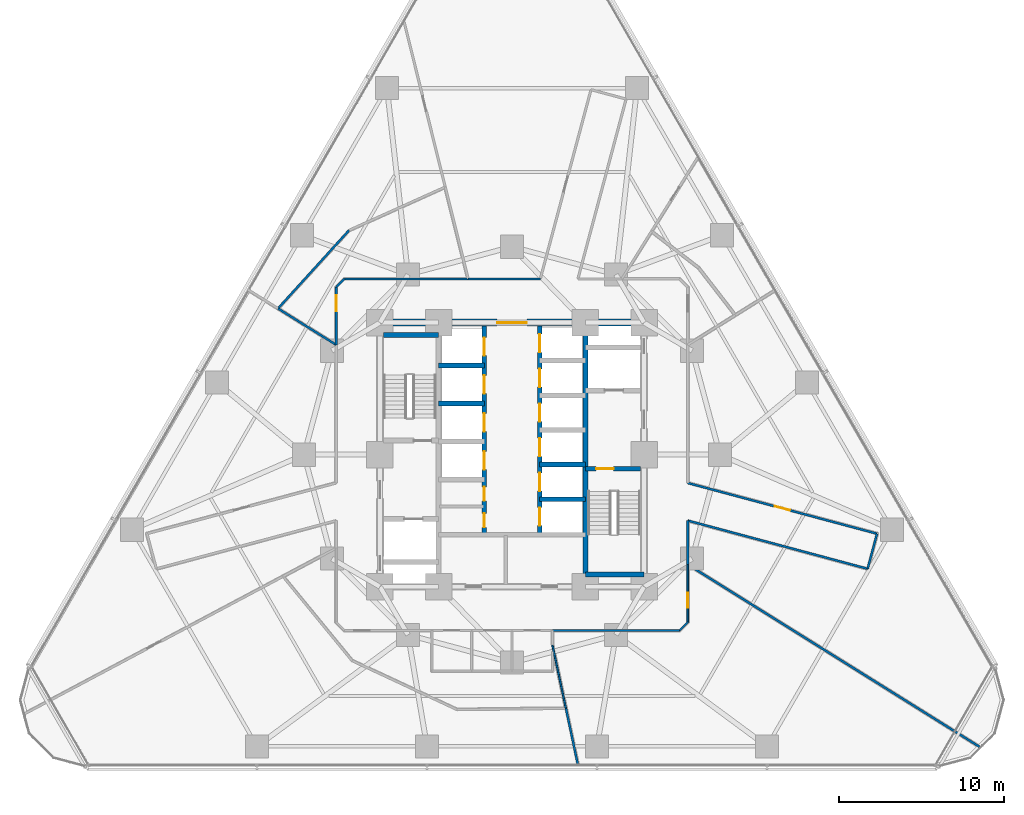
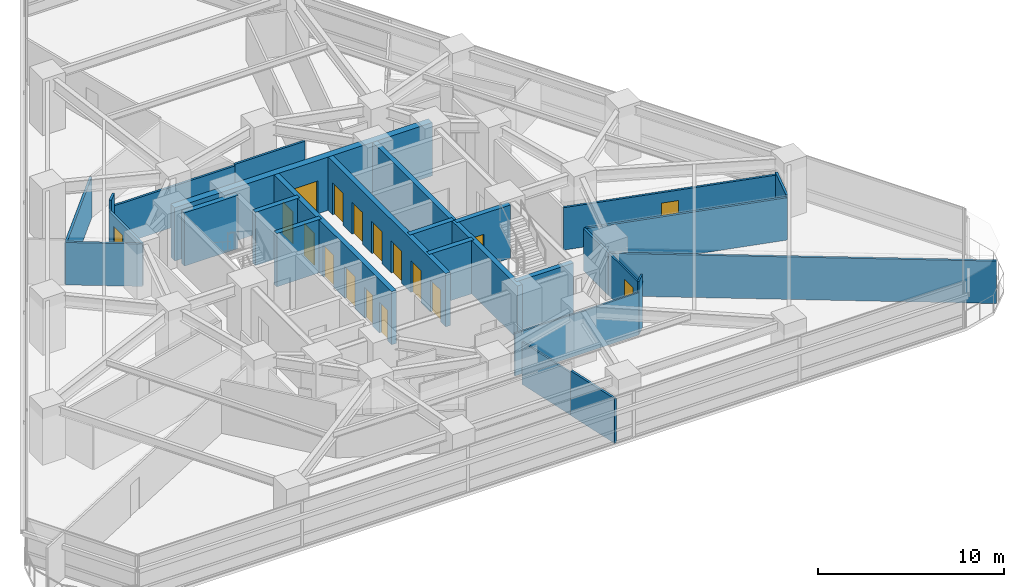
# One storey, part 9 of 15: 27 walls, 17 doors, 17 openings.
"""IFC4 building model written with IfcOpenShell, lengths in metres."""

from ifc_helpers import new_model, si_unit, direction, frame, frame_2d, origin, place, context, subcontext, project, spatial, rectangle, extrude, material, layer, layer_set, type_object, element, fill, save


model = new_model("IFC4")

# Units and contexts
model_context = context("Model", 3, precision=1e-05, world=origin(), true_north=direction((0.0, 1.0)))
body_context = subcontext(model_context, "Body", "Model", "MODEL_VIEW")
ifc_project = project(units=[si_unit("LENGTHUNIT", "METRE"), si_unit("AREAUNIT", "SQUARE_METRE"), si_unit("VOLUMEUNIT", "CUBIC_METRE"), si_unit("PLANEANGLEUNIT", "RADIAN"), si_unit("MASSUNIT", "GRAM", prefix="KILO")], contexts=[model_context])

# Site, building, storey
site_placement = place(None, origin())
site = spatial("IfcSite", under=ifc_project, at=site_placement, CompositionType="ELEMENT")
building_placement = place(site_placement, origin())
building = spatial("IfcBuilding", under=site, at=building_placement, Name="Terralouvre Media Tower", CompositionType="ELEMENT")
storey_placement = place(building_placement, frame((0.0, 0.0, 33.39990234375)))
storey = spatial("IfcBuildingStorey", under=building, at=storey_placement, Name="L07", CompositionType="ELEMENT", Elevation=33.39990234375)

# Walls
ifc_material_1 = material(Name="Concrete C50/60", Category="concrete")
ifc_layer_1 = layer(ifc_material_1, 0.300048828125, Name="Core Internal Shaft Wall CW-300")
ifc_layer_set_1 = layer_set([ifc_layer_1], Name="Concrete C50/60")
wall_type_1 = type_object("IfcWallType", Name="Core Internal Shaft Wall CW-300", PredefinedType="SHEAR", material=ifc_layer_set_1)
wall_1_placement = place(storey_placement, frame((4.449951171875, -7.7900390625, 0.0), z_axis=(0.0, 0.0, 1.0), x_axis=(0.0, 1.0, 0.0)))
element("IfcWall", 1, at=wall_1_placement, inside=storey, type_object=wall_type_1, Name="L07 Core Shaft Wall SPE", PredefinedType="SHEAR", context=body_context, shape_type="SweptSolid", body=[
    extrude(rectangle(XDim=15.580078125, YDim=0.300048828125, at=frame_2d((7.7900390625, 0.0))), origin(), (0.0, 0.0, 1.0), 3.5),
])
wall_2_placement = place(storey_placement, frame((-7.7900390625, 7.260009765625, 0.0), z_axis=(0.0, 0.0, 1.0), x_axis=(1.0, 0.0, 0.0)))
element("IfcWall", 2, at=wall_2_placement, inside=storey, type_object=wall_type_1, Name="L07 Core Shaft Wall ST1F", PredefinedType="SHEAR", context=body_context, shape_type="SweptSolid", body=[
    extrude(rectangle(XDim=3.340087890625, YDim=0.300048828125, at=frame_2d((1.669921875, 0.0))), origin(), (0.0, 0.0, 1.0), 3.5),
])

# Wall, opening, door
wall_3_placement = place(storey_placement, frame((4.449951171875, -0.85009765625, 0.0), z_axis=(0.0, 0.0, 1.0), x_axis=(1.0, 0.0, 0.0)))
wall_3 = element("IfcWall", 3, at=wall_3_placement, inside=storey, type_object=wall_type_1, Name="L07 Core Shaft Wall ST2D", PredefinedType="SHEAR", context=body_context, shape_type="SweptSolid", body=[
    extrude(rectangle(XDim=3.340087890625, YDim=0.300048828125, at=frame_2d((1.669921875, 0.0))), origin(), (0.0, 0.0, 1.0), 3.5),
])
opening_1_placement = place(wall_3_placement, frame((0.64990234375, 0.0, 0.0)))
opening_1 = element("IfcOpeningElement", 4, at=opening_1_placement, cuts=wall_3, Name="Opening FD-01-105X215", PredefinedType="OPENING", context=body_context, shape_type="SweptSolid", body=[
    extrude(rectangle(XDim=1.050048828125, YDim=2.14990234375, at=frame_2d((0.52490234375, 1.074951171875))), frame((0.0, 0.159912109375, 0.0), z_axis=(0.0, -1.0, 0.0), x_axis=(1.0, 0.0, 0.0)), (0.0, 0.0, 1.0), 0.320068359375),
])
ifc_material_2 = material(Name="Galvanised steel fire-resisting leaf", Category="steel")
door_type_1 = type_object("IfcDoorType", Name="Stair and Firefighting Lobby Fire Door FD-01 (1050x2150)", OperationType="NOTDEFINED", PredefinedType="DOOR", material=ifc_material_2)
door_1_placement = place(opening_1_placement, origin())
door_1 = element("IfcDoor", 5, at=door_1_placement, inside=storey, type_object=door_type_1, Name="L07 ST-02 Exit Stair Door", OperationType="SINGLE_SWING_RIGHT", OverallHeight=2.14990234375, OverallWidth=1.050048828125, PredefinedType="DOOR", context=body_context, shape_type="SweptSolid", body=[
    extrude(rectangle(XDim=1.050048828125, YDim=2.14990234375, at=frame_2d((0.52490234375, 1.074951171875))), frame((0.0, 0.02490234375, 0.0), z_axis=(0.0, -1.0, 0.0), x_axis=(1.0, 0.0, 0.0)), (0.0, 0.0, 1.0), 0.050048828125),
])
fill(opening_1, door_1)

# Wall
wall_4_placement = place(storey_placement, frame((4.449951171875, -7.260009765625, 0.0), z_axis=(0.0, 0.0, 1.0), x_axis=(1.0, 0.0, 0.0)))
element("IfcWall", 6, at=wall_4_placement, inside=storey, type_object=wall_type_1, Name="L07 Core Shaft Wall ST2F", PredefinedType="SHEAR", context=body_context, shape_type="SweptSolid", body=[
    extrude(rectangle(XDim=3.550048828125, YDim=0.300048828125, at=frame_2d((1.77490234375, 0.0))), origin(), (0.0, 0.0, 1.0), 3.5),
])

# Wall, openings, doors
wall_5_placement = place(storey_placement, frame((-1.679931640625, -4.85009765625, 0.0), z_axis=(0.0, 0.0, 1.0), x_axis=(0.0, 1.0, 0.0)))
wall_5 = element("IfcWall", 7, at=wall_5_placement, inside=storey, type_object=wall_type_1, Name="L07 Core Shaft Wall LBW", PredefinedType="SHEAR", context=body_context, shape_type="SweptSolid", body=[
    extrude(rectangle(XDim=12.64013671875, YDim=0.300048828125, at=frame_2d((6.320068359375, 0.0))), origin(), (0.0, 0.0, 1.0), 3.5),
])
opening_2_placement = place(wall_5_placement, frame((3.949951171875, 0.0, 0.0)))
opening_2 = element("IfcOpeningElement", 8, at=opening_2_placement, cuts=wall_5, Name="Opening LD-PL", PredefinedType="OPENING", context=body_context, shape_type="SweptSolid", body=[
    extrude(rectangle(XDim=1.10009765625, YDim=2.10009765625, at=frame_2d((0.550048828125, 1.050048828125))), frame((0.0, 0.159912109375, 0.0), z_axis=(0.0, -1.0, 0.0), x_axis=(1.0, 0.0, 0.0)), (0.0, 0.0, 1.0), 0.320068359375),
])
opening_3_placement = place(wall_5_placement, frame((6.25, 0.0, 0.0)))
opening_3 = element("IfcOpeningElement", 9, at=opening_3_placement, cuts=wall_5, Name="Opening LD-PL", PredefinedType="OPENING", context=body_context, shape_type="SweptSolid", body=[
    extrude(rectangle(XDim=1.10009765625, YDim=2.10009765625, at=frame_2d((0.550048828125, 1.050048828125))), frame((0.0, 0.159912109375, 0.0), z_axis=(0.0, -1.0, 0.0), x_axis=(1.0, 0.0, 0.0)), (0.0, 0.0, 1.0), 0.320068359375),
])
opening_4_placement = place(wall_5_placement, frame((8.550048828125, 0.0, 0.0)))
opening_4 = element("IfcOpeningElement", 10, at=opening_4_placement, cuts=wall_5, Name="Opening LD-PL", PredefinedType="OPENING", context=body_context, shape_type="SweptSolid", body=[
    extrude(rectangle(XDim=1.10009765625, YDim=2.10009765625, at=frame_2d((0.550048828125, 1.050048828125))), frame((0.0, 0.159912109375, 0.0), z_axis=(0.0, -1.0, 0.0), x_axis=(1.0, 0.0, 0.0)), (0.0, 0.0, 1.0), 0.320068359375),
])
opening_5_placement = place(wall_5_placement, frame((10.85009765625, 0.0, 0.0)))
opening_5 = element("IfcOpeningElement", 11, at=opening_5_placement, cuts=wall_5, Name="Opening LD-PL", PredefinedType="OPENING", context=body_context, shape_type="SweptSolid", body=[
    extrude(rectangle(XDim=1.10009765625, YDim=2.10009765625, at=frame_2d((0.550048828125, 1.050048828125))), frame((0.0, 0.159912109375, 0.0), z_axis=(0.0, -1.0, 0.0), x_axis=(1.0, 0.0, 0.0)), (0.0, 0.0, 1.0), 0.320068359375),
])
opening_6_placement = place(wall_5_placement, frame((0.449951171875, 0.0, 0.0)))
opening_6 = element("IfcOpeningElement", 12, at=opening_6_placement, cuts=wall_5, Name="Opening TD-R1", PredefinedType="OPENING", context=body_context, shape_type="SweptSolid", body=[
    extrude(rectangle(XDim=0.85009765625, YDim=2.02001953125, at=frame_2d((0.425048828125, 1.010009765625))), frame((0.0, 0.159912109375, 0.0), z_axis=(0.0, -1.0, 0.0), x_axis=(1.0, 0.0, 0.0)), (0.0, 0.0, 1.0), 0.320068359375),
])
opening_7_placement = place(wall_5_placement, frame((2.050048828125, 0.0, 0.0)))
opening_7 = element("IfcOpeningElement", 13, at=opening_7_placement, cuts=wall_5, Name="Opening TD-R1", PredefinedType="OPENING", context=body_context, shape_type="SweptSolid", body=[
    extrude(rectangle(XDim=0.85009765625, YDim=2.02001953125, at=frame_2d((0.425048828125, 1.010009765625))), frame((0.0, 0.159912109375, 0.0), z_axis=(0.0, -1.0, 0.0), x_axis=(1.0, 0.0, 0.0)), (0.0, 0.0, 1.0), 0.320068359375),
])
ifc_material_3 = material(Name="Stainless steel 316 handrail and balustrade", Category="steel")
door_type_2 = type_object("IfcDoorType", Name="Passenger Lift Sliding Landing Door LD-PL", OperationType="SLIDING_TO_LEFT", PredefinedType="DOOR", material=ifc_material_3)
door_2_placement = place(opening_2_placement, origin())
door_2 = element("IfcDoor", 14, at=door_2_placement, inside=storey, type_object=door_type_2, Name="L07 Low-Rise Lift PL-L1 Landing Door", OperationType="SLIDING_TO_LEFT", OverallHeight=2.10009765625, OverallWidth=1.10009765625, PredefinedType="DOOR", context=body_context, shape_type="SweptSolid", body=[
    extrude(rectangle(XDim=1.10009765625, YDim=2.10009765625, at=frame_2d((0.550048828125, 1.050048828125))), frame((0.0, 0.02490234375, 0.0), z_axis=(0.0, -1.0, 0.0), x_axis=(1.0, 0.0, 0.0)), (0.0, 0.0, 1.0), 0.050048828125),
])
fill(opening_2, door_2)
door_3_placement = place(opening_3_placement, origin())
door_3 = element("IfcDoor", 15, at=door_3_placement, inside=storey, type_object=door_type_2, Name="L07 Low-Rise Lift PL-L2 Landing Door", OperationType="SLIDING_TO_LEFT", OverallHeight=2.10009765625, OverallWidth=1.10009765625, PredefinedType="DOOR", context=body_context, shape_type="SweptSolid", body=[
    extrude(rectangle(XDim=1.10009765625, YDim=2.10009765625, at=frame_2d((0.550048828125, 1.050048828125))), frame((0.0, 0.02490234375, 0.0), z_axis=(0.0, -1.0, 0.0), x_axis=(1.0, 0.0, 0.0)), (0.0, 0.0, 1.0), 0.050048828125),
])
fill(opening_3, door_3)
door_4_placement = place(opening_4_placement, origin())
door_4 = element("IfcDoor", 16, at=door_4_placement, inside=storey, type_object=door_type_2, Name="L07 Low-Rise Lift PL-L3 Landing Door", OperationType="SLIDING_TO_LEFT", OverallHeight=2.10009765625, OverallWidth=1.10009765625, PredefinedType="DOOR", context=body_context, shape_type="SweptSolid", body=[
    extrude(rectangle(XDim=1.10009765625, YDim=2.10009765625, at=frame_2d((0.550048828125, 1.050048828125))), frame((0.0, 0.02490234375, 0.0), z_axis=(0.0, -1.0, 0.0), x_axis=(1.0, 0.0, 0.0)), (0.0, 0.0, 1.0), 0.050048828125),
])
fill(opening_4, door_4)
door_5_placement = place(opening_5_placement, origin())
door_5 = element("IfcDoor", 17, at=door_5_placement, inside=storey, type_object=door_type_2, Name="L07 Low-Rise Lift PL-L4 Landing Door", OperationType="SLIDING_TO_LEFT", OverallHeight=2.10009765625, OverallWidth=1.10009765625, PredefinedType="DOOR", context=body_context, shape_type="SweptSolid", body=[
    extrude(rectangle(XDim=1.10009765625, YDim=2.10009765625, at=frame_2d((0.550048828125, 1.050048828125))), frame((0.0, 0.02490234375, 0.0), z_axis=(0.0, -1.0, 0.0), x_axis=(1.0, 0.0, 0.0)), (0.0, 0.0, 1.0), 0.050048828125),
])
fill(opening_5, door_5)
ifc_material_4 = material(Name="Galvanised steel fire-resisting leaf", Category="steel")
door_type_3 = type_object("IfcDoorType", Name="Riser Inspection Access Trapdoor TD-R1", OperationType="NOTDEFINED", PredefinedType="TRAPDOOR", material=ifc_material_4)
door_6_placement = place(opening_6_placement, origin())
door_6 = element("IfcDoor", 18, at=door_6_placement, inside=storey, type_object=door_type_3, Name="L07 Core Cleaners Closet Door", OperationType="SINGLE_SWING_LEFT", OverallHeight=2.02001953125, OverallWidth=0.85009765625, PredefinedType="TRAPDOOR", context=body_context, shape_type="SweptSolid", body=[
    extrude(rectangle(XDim=0.85009765625, YDim=2.02001953125, at=frame_2d((0.425048828125, 1.010009765625))), frame((0.0, 0.02490234375, 0.0), z_axis=(0.0, -1.0, 0.0), x_axis=(1.0, 0.0, 0.0)), (0.0, 0.0, 1.0), 0.050048828125),
])
fill(opening_6, door_6)
door_7_placement = place(opening_7_placement, origin())
door_7 = element("IfcDoor", 19, at=door_7_placement, inside=storey, type_object=door_type_3, Name="L07 Core Metering Closet Door", OperationType="SINGLE_SWING_RIGHT", OverallHeight=2.02001953125, OverallWidth=0.85009765625, PredefinedType="TRAPDOOR", context=body_context, shape_type="SweptSolid", body=[
    extrude(rectangle(XDim=0.85009765625, YDim=2.02001953125, at=frame_2d((0.425048828125, 1.010009765625))), frame((0.0, 0.02490234375, 0.0), z_axis=(0.0, -1.0, 0.0), x_axis=(1.0, 0.0, 0.0)), (0.0, 0.0, 1.0), 0.050048828125),
])
fill(opening_7, door_7)

wall_6_placement = place(storey_placement, frame((1.679931640625, -4.85009765625, 0.0), z_axis=(0.0, 0.0, 1.0), x_axis=(0.0, 1.0, 0.0)))
wall_6 = element("IfcWall", 20, at=wall_6_placement, inside=storey, type_object=wall_type_1, Name="L07 Core Shaft Wall LBE", PredefinedType="SHEAR", context=body_context, shape_type="SweptSolid", body=[
    extrude(rectangle(XDim=12.64013671875, YDim=0.300048828125, at=frame_2d((6.320068359375, 0.0))), origin(), (0.0, 0.0, 1.0), 3.5),
])
opening_8_placement = place(wall_6_placement, frame((0.550048828125, 0.0, 0.0)))
opening_8 = element("IfcOpeningElement", 21, at=opening_8_placement, cuts=wall_6, Name="Opening LD-PL", PredefinedType="OPENING", context=body_context, shape_type="SweptSolid", body=[
    extrude(rectangle(XDim=1.10009765625, YDim=2.10009765625, at=frame_2d((0.550048828125, 1.050048828125))), frame((0.0, 0.159912109375, 0.0), z_axis=(0.0, -1.0, 0.0), x_axis=(1.0, 0.0, 0.0)), (0.0, 0.0, 1.0), 0.320068359375),
])
opening_9_placement = place(wall_6_placement, frame((2.64990234375, 0.0, 0.0)))
opening_9 = element("IfcOpeningElement", 22, at=opening_9_placement, cuts=wall_6, Name="Opening LD-PL", PredefinedType="OPENING", context=body_context, shape_type="SweptSolid", body=[
    extrude(rectangle(XDim=1.10009765625, YDim=2.10009765625, at=frame_2d((0.550048828125, 1.050048828125))), frame((0.0, 0.159912109375, 0.0), z_axis=(0.0, -1.0, 0.0), x_axis=(1.0, 0.0, 0.0)), (0.0, 0.0, 1.0), 0.320068359375),
])
opening_10_placement = place(wall_6_placement, frame((4.75, 0.0, 0.0)))
opening_10 = element("IfcOpeningElement", 23, at=opening_10_placement, cuts=wall_6, Name="Opening LD-PL", PredefinedType="OPENING", context=body_context, shape_type="SweptSolid", body=[
    extrude(rectangle(XDim=1.10009765625, YDim=2.10009765625, at=frame_2d((0.550048828125, 1.050048828125))), frame((0.0, 0.159912109375, 0.0), z_axis=(0.0, -1.0, 0.0), x_axis=(1.0, 0.0, 0.0)), (0.0, 0.0, 1.0), 0.320068359375),
])
opening_11_placement = place(wall_6_placement, frame((6.85009765625, 0.0, 0.0)))
opening_11 = element("IfcOpeningElement", 24, at=opening_11_placement, cuts=wall_6, Name="Opening LD-PL", PredefinedType="OPENING", context=body_context, shape_type="SweptSolid", body=[
    extrude(rectangle(XDim=1.10009765625, YDim=2.10009765625, at=frame_2d((0.550048828125, 1.050048828125))), frame((0.0, 0.159912109375, 0.0), z_axis=(0.0, -1.0, 0.0), x_axis=(1.0, 0.0, 0.0)), (0.0, 0.0, 1.0), 0.320068359375),
])
opening_12_placement = place(wall_6_placement, frame((8.949951171875, 0.0, 0.0)))
opening_12 = element("IfcOpeningElement", 25, at=opening_12_placement, cuts=wall_6, Name="Opening LD-PL", PredefinedType="OPENING", context=body_context, shape_type="SweptSolid", body=[
    extrude(rectangle(XDim=1.10009765625, YDim=2.10009765625, at=frame_2d((0.550048828125, 1.050048828125))), frame((0.0, 0.159912109375, 0.0), z_axis=(0.0, -1.0, 0.0), x_axis=(1.0, 0.0, 0.0)), (0.0, 0.0, 1.0), 0.320068359375),
])
opening_13_placement = place(wall_6_placement, frame((11.050048828125, 0.0, 0.0)))
opening_13 = element("IfcOpeningElement", 26, at=opening_13_placement, cuts=wall_6, Name="Opening LD-PL", PredefinedType="OPENING", context=body_context, shape_type="SweptSolid", body=[
    extrude(rectangle(XDim=1.10009765625, YDim=2.10009765625, at=frame_2d((0.550048828125, 1.050048828125))), frame((0.0, 0.159912109375, 0.0), z_axis=(0.0, -1.0, 0.0), x_axis=(1.0, 0.0, 0.0)), (0.0, 0.0, 1.0), 0.320068359375),
])
door_8_placement = place(opening_8_placement, origin())
door_8 = element("IfcDoor", 27, at=door_8_placement, inside=storey, type_object=door_type_2, Name="L07 High-Rise Lift PL-H1 Landing Door", OperationType="SLIDING_TO_LEFT", OverallHeight=2.10009765625, OverallWidth=1.10009765625, PredefinedType="DOOR", context=body_context, shape_type="SweptSolid", body=[
    extrude(rectangle(XDim=1.10009765625, YDim=2.10009765625, at=frame_2d((0.550048828125, 1.050048828125))), frame((0.0, 0.02490234375, 0.0), z_axis=(0.0, -1.0, 0.0), x_axis=(1.0, 0.0, 0.0)), (0.0, 0.0, 1.0), 0.050048828125),
])
fill(opening_8, door_8)
door_9_placement = place(opening_9_placement, origin())
door_9 = element("IfcDoor", 28, at=door_9_placement, inside=storey, type_object=door_type_2, Name="L07 High-Rise Lift PL-H2 Landing Door", OperationType="SLIDING_TO_LEFT", OverallHeight=2.10009765625, OverallWidth=1.10009765625, PredefinedType="DOOR", context=body_context, shape_type="SweptSolid", body=[
    extrude(rectangle(XDim=1.10009765625, YDim=2.10009765625, at=frame_2d((0.550048828125, 1.050048828125))), frame((0.0, 0.02490234375, 0.0), z_axis=(0.0, -1.0, 0.0), x_axis=(1.0, 0.0, 0.0)), (0.0, 0.0, 1.0), 0.050048828125),
])
fill(opening_9, door_9)
door_10_placement = place(opening_10_placement, origin())
door_10 = element("IfcDoor", 29, at=door_10_placement, inside=storey, type_object=door_type_2, Name="L07 High-Rise Lift PL-H3 Landing Door", OperationType="SLIDING_TO_LEFT", OverallHeight=2.10009765625, OverallWidth=1.10009765625, PredefinedType="DOOR", context=body_context, shape_type="SweptSolid", body=[
    extrude(rectangle(XDim=1.10009765625, YDim=2.10009765625, at=frame_2d((0.550048828125, 1.050048828125))), frame((0.0, 0.02490234375, 0.0), z_axis=(0.0, -1.0, 0.0), x_axis=(1.0, 0.0, 0.0)), (0.0, 0.0, 1.0), 0.050048828125),
])
fill(opening_10, door_10)
door_11_placement = place(opening_11_placement, origin())
door_11 = element("IfcDoor", 30, at=door_11_placement, inside=storey, type_object=door_type_2, Name="L07 Mid-Rise Lift PL-M1 Landing Door", OperationType="SLIDING_TO_LEFT", OverallHeight=2.10009765625, OverallWidth=1.10009765625, PredefinedType="DOOR", context=body_context, shape_type="SweptSolid", body=[
    extrude(rectangle(XDim=1.10009765625, YDim=2.10009765625, at=frame_2d((0.550048828125, 1.050048828125))), frame((0.0, 0.02490234375, 0.0), z_axis=(0.0, -1.0, 0.0), x_axis=(1.0, 0.0, 0.0)), (0.0, 0.0, 1.0), 0.050048828125),
])
fill(opening_11, door_11)
door_12_placement = place(opening_12_placement, origin())
door_12 = element("IfcDoor", 31, at=door_12_placement, inside=storey, type_object=door_type_2, Name="L07 Mid-Rise Lift PL-M2 Landing Door", OperationType="SLIDING_TO_LEFT", OverallHeight=2.10009765625, OverallWidth=1.10009765625, PredefinedType="DOOR", context=body_context, shape_type="SweptSolid", body=[
    extrude(rectangle(XDim=1.10009765625, YDim=2.10009765625, at=frame_2d((0.550048828125, 1.050048828125))), frame((0.0, 0.02490234375, 0.0), z_axis=(0.0, -1.0, 0.0), x_axis=(1.0, 0.0, 0.0)), (0.0, 0.0, 1.0), 0.050048828125),
])
fill(opening_12, door_12)
door_13_placement = place(opening_13_placement, origin())
door_13 = element("IfcDoor", 32, at=door_13_placement, inside=storey, type_object=door_type_2, Name="L07 Mid-Rise Lift PL-M3 Landing Door", OperationType="SLIDING_TO_LEFT", OverallHeight=2.10009765625, OverallWidth=1.10009765625, PredefinedType="DOOR", context=body_context, shape_type="SweptSolid", body=[
    extrude(rectangle(XDim=1.10009765625, YDim=2.10009765625, at=frame_2d((0.550048828125, 1.050048828125))), frame((0.0, 0.02490234375, 0.0), z_axis=(0.0, -1.0, 0.0), x_axis=(1.0, 0.0, 0.0)), (0.0, 0.0, 1.0), 0.050048828125),
])
fill(opening_13, door_13)

# Walls
for number, where, z_axis, x_axis, name in (
    (33, (-4.449951171875, 3.10009765625, 0.0), (0.0, 0.0, 1.0), (1.0, 0.0, 0.0), "L07 Core Shaft Wall PLLD2"),
    (34, (-4.449951171875, 5.39990234375, 0.0), (0.0, 0.0, 1.0), (1.0, 0.0, 0.0), "L07 Core Shaft Wall PLLD3"),
    (35, (1.679931640625, -2.699951171875, 0.0), (0.0, 0.0, 1.0), (1.0, 0.0, 0.0), "L07 Core Shaft Wall PLHD1"),
    (36, (1.679931640625, -0.60009765625, 0.0), (0.0, 0.0, 1.0), (1.0, 0.0, 0.0), "L07 Core Shaft Wall PLHD2"),
):
    element("IfcWall", number, at=place(storey_placement, frame(where, z_axis=z_axis, x_axis=x_axis)), inside=storey, type_object=wall_type_1, Name=name, PredefinedType="SHEAR", context=body_context, shape_type="SweptSolid", body=[
        extrude(rectangle(XDim=2.77001953125, YDim=0.300048828125, at=frame_2d((1.385009765625, 0.0))), origin(), (0.0, 0.0, 1.0), 3.5),
    ])

# Wall, opening, door
ifc_material_5 = material(Name="Concrete C60/75", Category="concrete")
ifc_layer_2 = layer(ifc_material_5, 0.419921875, Name="Core Reinforced Concrete Shear Wall CW-420")
ifc_layer_set_2 = layer_set([ifc_layer_2], Name="Concrete C60/75")
wall_type_2 = type_object("IfcWallType", Name="Core Reinforced Concrete Shear Wall CW-420", PredefinedType="SHEAR", material=ifc_layer_set_2)
wall_7_placement = place(storey_placement, frame((-8.0, 8.0, 0.0), z_axis=(0.0, 0.0, 1.0), x_axis=(1.0, 0.0, 0.0)))
wall_7 = element("IfcWall", 37, at=wall_7_placement, inside=storey, type_object=wall_type_2, Name="L07 N Core Shear Wall", PredefinedType="SHEAR", context=body_context, shape_type="SweptSolid", body=[
    extrude(rectangle(XDim=16.0, YDim=0.419921875, at=frame_2d((8.0, 0.0))), origin(), (0.0, 0.0, 1.0), 3.5),
])
opening_14_placement = place(wall_7_placement, frame((7.10009765625, 0.0, 0.0)))
opening_14 = element("IfcOpeningElement", 38, at=opening_14_placement, cuts=wall_7, Name="Opening FD-03", PredefinedType="OPENING", context=body_context, shape_type="SweptSolid", body=[
    extrude(rectangle(XDim=1.800048828125, YDim=2.14990234375, at=frame_2d((0.89990234375, 1.074951171875))), frame((0.0, 0.219970703125, 0.0), z_axis=(0.0, -1.0, 0.0), x_axis=(1.0, 0.0, 0.0)), (0.0, 0.0, 1.0), 0.43994140625),
])
ifc_material_6 = material(Name="Galvanised steel fire-resisting leaf", Category="steel")
door_type_4 = type_object("IfcDoorType", Name="Corridor Smoke-Control Double Door FD-03", OperationType="DOUBLE_DOOR_SINGLE_SWING", PredefinedType="DOOR", material=ifc_material_6)
door_14_placement = place(opening_14_placement, origin())
door_14 = element("IfcDoor", 39, at=door_14_placement, inside=storey, type_object=door_type_4, Name="L07 Central Lift Lobby Portal Door", OperationType="DOUBLE_DOOR_SINGLE_SWING", OverallHeight=2.14990234375, OverallWidth=1.800048828125, PredefinedType="DOOR", context=body_context, shape_type="SweptSolid", body=[
    extrude(rectangle(XDim=1.800048828125, YDim=2.14990234375, at=frame_2d((0.89990234375, 1.074951171875))), frame((0.0, 0.02490234375, 0.0), z_axis=(0.0, -1.0, 0.0), x_axis=(1.0, 0.0, 0.0)), (0.0, 0.0, 1.0), 0.050048828125),
])
fill(opening_14, door_14)

# Walls
ifc_material_7 = material(Name="Low-iron laminated double glazing with solar-control coating", Category="glass")
ifc_layer_3 = layer(ifc_material_7, 0.10009765625, Name="Demountable Glazed Office Partition PT-GL100")
ifc_layer_set_3 = layer_set([ifc_layer_3], Name="Low-iron laminated double glazing with solar-control coating")
wall_type_3 = type_object("IfcWallType", Name="Demountable Glazed Office Partition PT-GL100", PredefinedType="MOVABLE", material=ifc_layer_set_3)
wall_8_placement = place(storey_placement, frame((2.449951171875, -10.64990234375, 0.0), z_axis=(0.0, 0.0, 1.0), x_axis=(1.0, 0.0, 0.0)))
element("IfcWall", 40, at=wall_8_placement, inside=storey, type_object=wall_type_3, Name="L07 Interior Partition 022", PredefinedType="MOVABLE", context=body_context, shape_type="SweptSolid", body=[
    extrude(rectangle(XDim=7.699951171875, YDim=0.10009765625, at=frame_2d((3.85009765625, 0.0))), origin(), (0.0, 0.0, 1.0), 2.78515625),
])
wall_9_placement = place(storey_placement, frame((10.14990234375, -10.64990234375, 0.0), z_axis=(0.0, 0.0, 1.0), x_axis=(0.707106781187, 0.707106781187, 0.0)))
element("IfcWall", 41, at=wall_9_placement, inside=storey, type_object=wall_type_3, Name="L07 Interior Partition 023", PredefinedType="MOVABLE", context=body_context, shape_type="SweptSolid", body=[
    extrude(rectangle(XDim=0.70703125, YDim=0.10009765625, at=frame_2d((0.353515625, 0.0))), origin(), (0.0, 0.0, 1.0), 3.5),
])

# Wall, opening, door
wall_10_placement = place(storey_placement, frame((10.64990234375, -10.14990234375, 0.0), z_axis=(0.0, 0.0, 1.0), x_axis=(0.0, 1.0, 0.0)))
wall_10 = element("IfcWall", 42, at=wall_10_placement, inside=storey, type_object=wall_type_3, Name="L07 Interior Partition 024", PredefinedType="MOVABLE", context=body_context, shape_type="SweptSolid", body=[
    extrude(rectangle(XDim=3.494873046875, YDim=0.10009765625, at=frame_2d((1.74755859375, 0.0))), origin(), (0.0, 0.0, 1.0), 2.78515625),
])
opening_15_placement = place(wall_10_placement, frame((0.8681640625, 0.0, 0.0)))
opening_15 = element("IfcOpeningElement", 43, at=opening_15_placement, cuts=wall_10, Name="Opening ID-03-92X210", PredefinedType="OPENING", context=body_context, shape_type="SweptSolid", body=[
    extrude(rectangle(XDim=0.919921875, YDim=2.10009765625, at=frame_2d((0.4599609375, 1.050048828125))), frame((0.0, 0.06005859375, 0.0), z_axis=(0.0, -1.0, 0.0), x_axis=(1.0, 0.0, 0.0)), (0.0, 0.0, 1.0), 0.1201171875),
])
ifc_material_8 = material(Name="Engineered hardwood acoustic timber leaf", Category="wood")
door_type_5 = type_object("IfcDoorType", Name="Accessible Restroom and Suite Door ID-03 (920x2100)", OperationType="NOTDEFINED", PredefinedType="DOOR", material=ifc_material_8)
door_15_placement = place(opening_15_placement, origin())
door_15 = element("IfcDoor", 44, at=door_15_placement, inside=storey, type_object=door_type_5, Name="L07 Editorial Huddle Room 6 Door", OperationType="SINGLE_SWING_LEFT", OverallHeight=2.10009765625, OverallWidth=0.919921875, PredefinedType="DOOR", context=body_context, shape_type="SweptSolid", body=[
    extrude(rectangle(XDim=0.919921875, YDim=2.10009765625, at=frame_2d((0.4599609375, 1.050048828125))), frame((0.0, 0.02490234375, 0.0), z_axis=(0.0, -1.0, 0.0), x_axis=(1.0, 0.0, 0.0)), (0.0, 0.0, 1.0), 0.050048828125),
])
fill(opening_15, door_15)

# Walls
wall_11_placement = place(storey_placement, frame((3.26708984375, -15.367919921875, 0.0), z_axis=(0.0, 0.0, 1.0), x_axis=(-0.208030469109, 0.978122346091, 0.0)))
element("IfcWall", 45, at=wall_11_placement, inside=storey, type_object=wall_type_3, Name="L07 Interior Partition 051", PredefinedType="MOVABLE", context=body_context, shape_type="SweptSolid", body=[
    extrude(rectangle(XDim=3.927978515625, YDim=0.10009765625, at=frame_2d((1.9638671875, 0.0))), origin(), (0.0, 0.0, 1.0), 2.78515625),
])
ifc_material_9 = material(Name="Fire-rated gypsum board drywall partition")
ifc_layer_4 = layer(ifc_material_9, 0.135009765625, Name="Newsroom Acoustic Partition PT-135")
ifc_layer_set_4 = layer_set([ifc_layer_4], Name="Fire-rated gypsum board drywall partition")
wall_type_4 = type_object("IfcWallType", Name="Newsroom Acoustic Partition PT-135", PredefinedType="PARTITIONING", material=ifc_layer_set_4)
wall_12_placement = place(storey_placement, frame((10.64990234375, -6.655029296875, 0.0), z_axis=(0.0, 0.0, 1.0), x_axis=(0.0, 1.0, 0.0)))
element("IfcWall", 46, at=wall_12_placement, inside=storey, type_object=wall_type_4, Name="L07 Interior Partition 001", PredefinedType="PARTITIONING", context=body_context, shape_type="SweptSolid", body=[
    extrude(rectangle(XDim=2.6630859375, YDim=0.135009765625, at=frame_2d((1.33154296875, 0.0))), origin(), (0.0, 0.0, 1.0), 2.78515625),
])
wall_13_placement = place(storey_placement, frame((10.64990234375, -3.991943359375, 0.0), z_axis=(0.0, 0.0, 1.0), x_axis=(0.965906888357, -0.258889712088, 0.0)))
element("IfcWall", 47, at=wall_13_placement, inside=storey, type_object=wall_type_4, Name="L07 Interior Partition 002", PredefinedType="PARTITIONING", context=body_context, shape_type="SweptSolid", body=[
    extrude(rectangle(XDim=11.279541015625, YDim=0.135009765625, at=frame_2d((5.6396484375, 0.0))), origin(), (0.0, 0.0, 1.0), 2.78515625),
])
wall_14_placement = place(storey_placement, frame((21.544921875, -6.912109375, 0.0), z_axis=(0.0, 0.0, 1.0), x_axis=(0.259105843213, 0.965848933329, 0.0)))
element("IfcWall", 48, at=wall_14_placement, inside=storey, type_object=wall_type_4, Name="L07 Interior Partition 003", PredefinedType="PARTITIONING", context=body_context, shape_type="SweptSolid", body=[
    extrude(rectangle(XDim=2.2001953125, YDim=0.135009765625, at=frame_2d((1.10009765625, 0.0))), origin(), (0.0, 0.0, 1.0), 2.93505859375),
])

# Wall, opening, door
wall_15_placement = place(storey_placement, frame((22.114990234375, -4.787109375, 0.0), z_axis=(0.0, 0.0, 1.0), x_axis=(-0.965926659449, 0.258815935688, 0.0)))
wall_15 = element("IfcWall", 49, at=wall_15_placement, inside=storey, type_object=wall_type_4, Name="L07 Interior Partition 004", PredefinedType="PARTITIONING", context=body_context, shape_type="SweptSolid", body=[
    extrude(rectangle(XDim=11.86962890625, YDim=0.135009765625, at=frame_2d((5.934814453125, 0.0))), origin(), (0.0, 0.0, 1.0), 2.78515625),
])
opening_16_placement = place(wall_15_placement, frame((5.459716796875, 0.0, 0.0)))
opening_16 = element("IfcOpeningElement", 50, at=opening_16_placement, cuts=wall_15, Name="Opening ID-02-95X210", PredefinedType="OPENING", context=body_context, shape_type="SweptSolid", body=[
    extrude(rectangle(XDim=0.949951171875, YDim=2.10009765625, at=frame_2d((0.47509765625, 1.050048828125))), frame((0.0, 0.077392578125, 0.0), z_axis=(0.0, -1.0, 0.0), x_axis=(1.0, 0.0, 0.0)), (0.0, 0.0, 1.0), 0.155029296875),
])
ifc_material_10 = material(Name="Engineered hardwood acoustic timber leaf", Category="wood")
door_type_6 = type_object("IfcDoorType", Name="Office and Meeting Room Door ID-02 (950x2100)", OperationType="NOTDEFINED", PredefinedType="DOOR", material=ifc_material_10)
door_16_placement = place(opening_16_placement, origin())
door_16 = element("IfcDoor", 51, at=door_16_placement, inside=storey, type_object=door_type_6, Name="L07 Live Wire Newsroom Open Office 1 Door", OperationType="SINGLE_SWING_RIGHT", OverallHeight=2.10009765625, OverallWidth=0.949951171875, PredefinedType="DOOR", context=body_context, shape_type="SweptSolid", body=[
    extrude(rectangle(XDim=0.949951171875, YDim=2.10009765625, at=frame_2d((0.47509765625, 1.050048828125))), frame((0.0, 0.02490234375, 0.0), z_axis=(0.0, -1.0, 0.0), x_axis=(1.0, 0.0, 0.0)), (0.0, 0.0, 1.0), 0.050048828125),
])
fill(opening_16, door_16)

# Walls
wall_16_placement = place(storey_placement, frame((1.715087890625, 10.64990234375, 0.0), z_axis=(0.0, 0.0, 1.0), x_axis=(-1.0, 0.0, 0.0)))
element("IfcWall", 52, at=wall_16_placement, inside=storey, type_object=wall_type_4, Name="L07 Interior Partition 010", PredefinedType="PARTITIONING", context=body_context, shape_type="SweptSolid", body=[
    extrude(rectangle(XDim=4.3701171875, YDim=0.135009765625, at=frame_2d((2.18505859375, 0.0))), origin(), (0.0, 0.0, 1.0), 2.78515625),
])
wall_17_placement = place(storey_placement, frame((-2.655029296875, 10.64990234375, 0.0), z_axis=(0.0, 0.0, 1.0), x_axis=(-1.0, 0.0, 0.0)))
element("IfcWall", 53, at=wall_17_placement, inside=storey, type_object=wall_type_4, Name="L07 Interior Partition 028", PredefinedType="PARTITIONING", context=body_context, shape_type="SweptSolid", body=[
    extrude(rectangle(XDim=7.494873046875, YDim=0.135009765625, at=frame_2d((3.74755859375, 0.0))), origin(), (0.0, 0.0, 1.0), 2.68505859375),
])
wall_18_placement = place(storey_placement, frame((-10.14990234375, 10.64990234375, 0.0), z_axis=(0.0, 0.0, 1.0), x_axis=(-0.707106781187, -0.707106781187, 0.0)))
element("IfcWall", 54, at=wall_18_placement, inside=storey, type_object=wall_type_4, Name="L07 Interior Partition 029", PredefinedType="PARTITIONING", context=body_context, shape_type="SweptSolid", body=[
    extrude(rectangle(XDim=0.70703125, YDim=0.135009765625, at=frame_2d((0.353515625, 0.0))), origin(), (0.0, 0.0, 1.0), 3.5),
])

# Wall, opening, door
wall_19_placement = place(storey_placement, frame((-10.64990234375, 10.14990234375, 0.0), z_axis=(0.0, 0.0, 1.0), x_axis=(0.0, -1.0, 0.0)))
wall_19 = element("IfcWall", 55, at=wall_19_placement, inside=storey, type_object=wall_type_4, Name="L07 Interior Partition 030", PredefinedType="PARTITIONING", context=body_context, shape_type="SweptSolid", body=[
    extrude(rectangle(XDim=3.494873046875, YDim=0.135009765625, at=frame_2d((1.74755859375, 0.0))), origin(), (0.0, 0.0, 1.0), 2.78515625),
])
opening_17_placement = place(wall_19_placement, frame((0.503662109375, 0.0, 0.0)))
opening_17 = element("IfcOpeningElement", 56, at=opening_17_placement, cuts=wall_19, Name="Opening ID-02-95X210", PredefinedType="OPENING", context=body_context, shape_type="SweptSolid", body=[
    extrude(rectangle(XDim=0.949951171875, YDim=2.10009765625, at=frame_2d((0.47509765625, 1.050048828125))), frame((0.0, 0.077392578125, 0.0), z_axis=(0.0, -1.0, 0.0), x_axis=(1.0, 0.0, 0.0)), (0.0, 0.0, 1.0), 0.155029296875),
])
door_17_placement = place(opening_17_placement, origin())
door_17 = element("IfcDoor", 57, at=door_17_placement, inside=storey, type_object=door_type_6, Name="L07 Anchor Green Lounge 10 Door", OperationType="SINGLE_SWING_LEFT", OverallHeight=2.10009765625, OverallWidth=0.949951171875, PredefinedType="DOOR", context=body_context, shape_type="SweptSolid", body=[
    extrude(rectangle(XDim=0.949951171875, YDim=2.10009765625, at=frame_2d((0.47509765625, 1.050048828125))), frame((0.0, 0.02490234375, 0.0), z_axis=(0.0, -1.0, 0.0), x_axis=(1.0, 0.0, 0.0)), (0.0, 0.0, 1.0), 0.050048828125),
])
fill(opening_17, door_17)

# Walls
wall_20_placement = place(storey_placement, frame((10.64990234375, -6.655029296875, 0.0), z_axis=(0.0, 0.0, 1.0), x_axis=(0.848052240981, -0.529912631069, 0.0)))
element("IfcWall", 58, at=wall_20_placement, inside=storey, type_object=wall_type_4, Name="L07 Interior Partition 031", PredefinedType="PARTITIONING", context=body_context, shape_type="SweptSolid", body=[
    extrude(rectangle(XDim=20.850341796875, YDim=0.135009765625, at=frame_2d((10.42529296875, 0.0))), origin(), (0.0, 0.0, 1.0), 2.78515625),
])
wall_21_placement = place(storey_placement, frame((-10.64990234375, 6.655029296875, 0.0), z_axis=(0.0, 0.0, 1.0), x_axis=(-0.848140172493, 0.529771882798, 0.0)))
element("IfcWall", 59, at=wall_21_placement, inside=storey, type_object=wall_type_4, Name="L07 Interior Partition 041", PredefinedType="PARTITIONING", context=body_context, shape_type="SweptSolid", body=[
    extrude(rectangle(XDim=4.15625, YDim=0.135009765625, at=frame_2d((2.078125, 0.0))), origin(), (0.0, 0.0, 1.0), 2.78515625),
])
wall_22_placement = place(storey_placement, frame((4.00341796875, -18.8369140625, 0.0), z_axis=(0.0, 0.0, 1.0), x_axis=(-0.207633969896, 0.978206590933, 0.0)))
element("IfcWall", 60, at=wall_22_placement, inside=storey, type_object=wall_type_4, Name="L07 Interior Partition 045", PredefinedType="PARTITIONING", context=body_context, shape_type="SweptSolid", body=[
    extrude(rectangle(XDim=3.54638671875, YDim=0.135009765625, at=frame_2d((1.773193359375, 0.0))), origin(), (0.0, 0.0, 1.0), 2.93505859375),
])
wall_23_placement = place(storey_placement, frame((-14.175048828125, 8.85693359375, 0.0), z_axis=(0.0, 0.0, 1.0), x_axis=(0.672355423095, 0.740228468133, 0.0)))
element("IfcWall", 61, at=wall_23_placement, inside=storey, type_object=wall_type_4, Name="L07 Interior Partition 057", PredefinedType="PARTITIONING", context=body_context, shape_type="SweptSolid", body=[
    extrude(rectangle(XDim=6.3955078125, YDim=0.135009765625, at=frame_2d((3.19775390625, 0.0))), origin(), (0.0, 0.0, 1.0), 2.68505859375),
])

save(model, "model.ifc")
